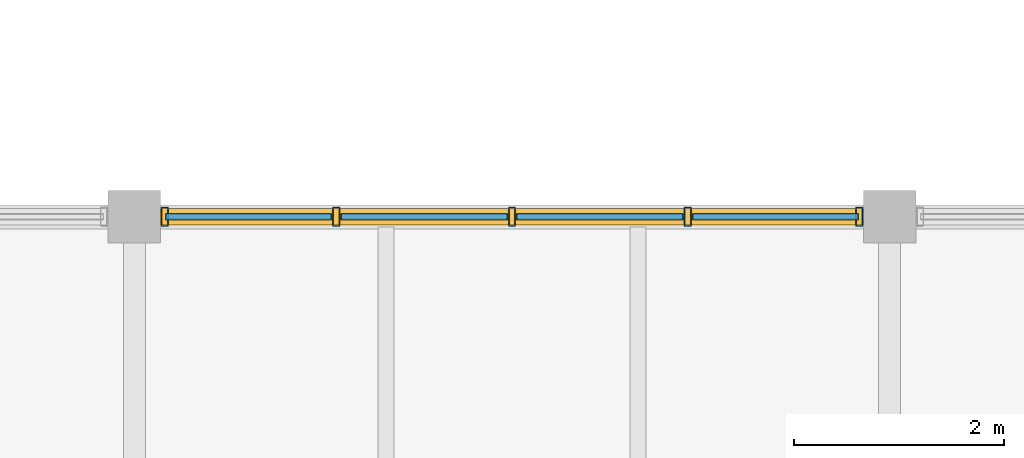
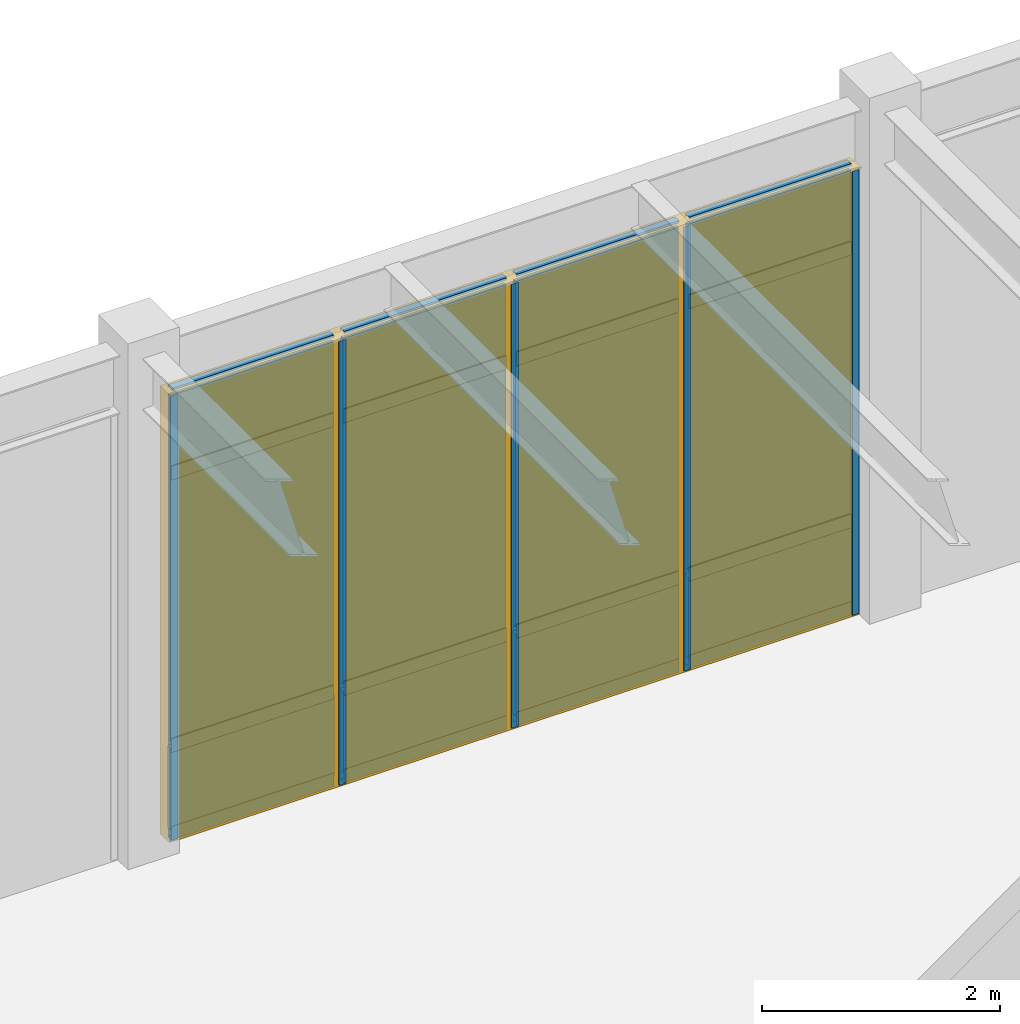
# One storey, part 78 of 97: 21 members, 8 plates, 1 curtain wall.
"""IFC4 building model written with IfcOpenShell, lengths in metres."""

from ifc_helpers import new_model, si_unit, direction, frame, origin, origin_2d, place, context, subcontext, project, spatial, rectangle, hollow_rectangle, extrude, material, layer, layer_set, material_profile, profile_set, type_object, element, aggregate, save


model = new_model("IFC4")

# Units and contexts
model_context = context("Model", 3, precision=1e-05, world=origin(), true_north=direction((0.0, 1.0)))
body_context = subcontext(model_context, "Body", "Model", "MODEL_VIEW")
ifc_project = project(units=[si_unit("LENGTHUNIT", "METRE"), si_unit("AREAUNIT", "SQUARE_METRE"), si_unit("VOLUMEUNIT", "CUBIC_METRE"), si_unit("PLANEANGLEUNIT", "RADIAN"), si_unit("MASSUNIT", "GRAM", prefix="KILO")], contexts=[model_context])

# Member
ifc_material_1 = material(Name="Anodized Aluminium 6063-T6", Category="aluminium")
ifc_material_profile_1 = material_profile(ifc_material_1, hollow_rectangle(XDim=0.06494140625, YDim=0.179931640625, WallThickness=0.00390625, at=origin_2d()), Name="ALU 65x180x4")
ifc_profile_set_1 = profile_set([ifc_material_profile_1], Name="Anodized Aluminium 6063-T6")
member_type_1 = type_object("IfcMemberType", Name="CWM-65X150", PredefinedType="MULLION", material=ifc_profile_set_1)
site_placement = place(None, origin())
building_placement = place(site_placement, origin())
storey_placement = place(building_placement, origin())
member_1_placement = place(storey_placement, frame((158.68994140625, 28.800048828125, 0.02001953125), z_axis=(0.0, 0.0, 1.0), x_axis=(1.0, 0.0, 0.0)))
member_1 = element("IfcMember", 1, at=member_1_placement, type_object=member_type_1, Name="Curtain wall mullion CW-L01-22-03-N-00", PredefinedType="MULLION", context=body_context, shape_type="SweptSolid", body=[
    extrude(hollow_rectangle(XDim=0.06494140625, YDim=0.179931640625, WallThickness=0.00390625, at=origin_2d()), origin(), (0.0, 0.0, 1.0), 4.557861328125),
])

member_2_placement = place(storey_placement, frame((160.324951171875, 28.800048828125, 0.02001953125), z_axis=(0.0, 0.0, 1.0), x_axis=(1.0, 0.0, 0.0)))
member_2 = element("IfcMember", 2, at=member_2_placement, type_object=member_type_1, Name="Curtain wall mullion CW-L01-22-03-N-01", PredefinedType="MULLION", context=body_context, shape_type="SweptSolid", body=[
    extrude(hollow_rectangle(XDim=0.06494140625, YDim=0.179931640625, WallThickness=0.00390625, at=origin_2d()), origin(), (0.0, 0.0, 1.0), 4.557861328125),
])

member_3_placement = place(storey_placement, frame((162.0, 28.800048828125, 0.02001953125), z_axis=(0.0, 0.0, 1.0), x_axis=(1.0, 0.0, 0.0)))
member_3 = element("IfcMember", 3, at=member_3_placement, type_object=member_type_1, Name="Curtain wall mullion CW-L01-22-03-N-02", PredefinedType="MULLION", context=body_context, shape_type="SweptSolid", body=[
    extrude(hollow_rectangle(XDim=0.06494140625, YDim=0.179931640625, WallThickness=0.00390625, at=origin_2d()), origin(), (0.0, 0.0, 1.0), 4.557861328125),
])

member_4_placement = place(storey_placement, frame((163.675048828125, 28.800048828125, 0.02001953125), z_axis=(0.0, 0.0, 1.0), x_axis=(1.0, 0.0, 0.0)))
member_4 = element("IfcMember", 4, at=member_4_placement, type_object=member_type_1, Name="Curtain wall mullion CW-L01-22-03-N-03", PredefinedType="MULLION", context=body_context, shape_type="SweptSolid", body=[
    extrude(hollow_rectangle(XDim=0.06494140625, YDim=0.179931640625, WallThickness=0.00390625, at=origin_2d()), origin(), (0.0, 0.0, 1.0), 4.557861328125),
])

member_5_placement = place(storey_placement, frame((165.31005859375, 28.800048828125, 0.02001953125), z_axis=(0.0, 0.0, 1.0), x_axis=(1.0, 0.0, 0.0)))
member_5 = element("IfcMember", 5, at=member_5_placement, type_object=member_type_1, Name="Curtain wall mullion CW-L01-22-03-N-04", PredefinedType="MULLION", context=body_context, shape_type="SweptSolid", body=[
    extrude(hollow_rectangle(XDim=0.06494140625, YDim=0.179931640625, WallThickness=0.00390625, at=origin_2d()), origin(), (0.0, 0.0, 1.0), 4.557861328125),
])

ifc_material_profile_2 = material_profile(ifc_material_1, hollow_rectangle(XDim=0.06494140625, YDim=0.139892578125, WallThickness=0.00390625, at=origin_2d()), Name="ALU 65x140x4")
ifc_profile_set_2 = profile_set([ifc_material_profile_2], Name="Anodized Aluminium 6063-T6")
member_type_2 = type_object("IfcMemberType", Name="CWT-65X120", PredefinedType="USERDEFINED", material=ifc_profile_set_2)
member_6_placement = place(storey_placement, frame((158.699951171875, 28.800048828125, 0.050048828125), z_axis=(1.0, 0.0, 0.0), x_axis=(0.0, 1.0, 0.0)))
member_6 = element("IfcMember", 6, at=member_6_placement, type_object=member_type_2, Name="Curtain wall transom CW-L01-22-03-N-1.01", ObjectType="TRANSOM", PredefinedType="USERDEFINED", context=body_context, shape_type="SweptSolid", body=[
    extrude(hollow_rectangle(XDim=0.06494140625, YDim=0.139892578125, WallThickness=0.00390625, at=origin_2d()), origin(), (0.0, 0.0, 1.0), 1.574951171875),
])

member_7_placement = place(storey_placement, frame((160.375, 28.800048828125, 0.050048828125), z_axis=(1.0, 0.0, 0.0), x_axis=(0.0, 1.0, 0.0)))
member_7 = element("IfcMember", 7, at=member_7_placement, type_object=member_type_2, Name="Curtain wall transom CW-L01-22-03-N-1.02", ObjectType="TRANSOM", PredefinedType="USERDEFINED", context=body_context, shape_type="SweptSolid", body=[
    extrude(hollow_rectangle(XDim=0.06494140625, YDim=0.139892578125, WallThickness=0.00390625, at=origin_2d()), origin(), (0.0, 0.0, 1.0), 1.574951171875),
])

member_8_placement = place(storey_placement, frame((162.050048828125, 28.800048828125, 0.050048828125), z_axis=(1.0, 0.0, 0.0), x_axis=(0.0, 1.0, 0.0)))
member_8 = element("IfcMember", 8, at=member_8_placement, type_object=member_type_2, Name="Curtain wall transom CW-L01-22-03-N-1.03", ObjectType="TRANSOM", PredefinedType="USERDEFINED", context=body_context, shape_type="SweptSolid", body=[
    extrude(hollow_rectangle(XDim=0.06494140625, YDim=0.139892578125, WallThickness=0.00390625, at=origin_2d()), origin(), (0.0, 0.0, 1.0), 1.574951171875),
])

member_9_placement = place(storey_placement, frame((163.72509765625, 28.800048828125, 0.050048828125), z_axis=(1.0, 0.0, 0.0), x_axis=(0.0, 1.0, 0.0)))
member_9 = element("IfcMember", 9, at=member_9_placement, type_object=member_type_2, Name="Curtain wall transom CW-L01-22-03-N-1.04", ObjectType="TRANSOM", PredefinedType="USERDEFINED", context=body_context, shape_type="SweptSolid", body=[
    extrude(hollow_rectangle(XDim=0.06494140625, YDim=0.139892578125, WallThickness=0.00390625, at=origin_2d()), origin(), (0.0, 0.0, 1.0), 1.574951171875),
])

member_10_placement = place(storey_placement, frame((158.699951171875, 28.800048828125, 0.949951171875), z_axis=(1.0, 0.0, 0.0), x_axis=(0.0, 1.0, 0.0)))
member_10 = element("IfcMember", 10, at=member_10_placement, type_object=member_type_2, Name="Curtain wall transom CW-L01-22-03-N-2.01", ObjectType="TRANSOM", PredefinedType="USERDEFINED", context=body_context, shape_type="SweptSolid", body=[
    extrude(hollow_rectangle(XDim=0.06494140625, YDim=0.139892578125, WallThickness=0.00390625, at=origin_2d()), origin(), (0.0, 0.0, 1.0), 1.574951171875),
])

member_11_placement = place(storey_placement, frame((160.375, 28.800048828125, 0.949951171875), z_axis=(1.0, 0.0, 0.0), x_axis=(0.0, 1.0, 0.0)))
member_11 = element("IfcMember", 11, at=member_11_placement, type_object=member_type_2, Name="Curtain wall transom CW-L01-22-03-N-2.02", ObjectType="TRANSOM", PredefinedType="USERDEFINED", context=body_context, shape_type="SweptSolid", body=[
    extrude(hollow_rectangle(XDim=0.06494140625, YDim=0.139892578125, WallThickness=0.00390625, at=origin_2d()), origin(), (0.0, 0.0, 1.0), 1.574951171875),
])

member_12_placement = place(storey_placement, frame((162.050048828125, 28.800048828125, 0.949951171875), z_axis=(1.0, 0.0, 0.0), x_axis=(0.0, 1.0, 0.0)))
member_12 = element("IfcMember", 12, at=member_12_placement, type_object=member_type_2, Name="Curtain wall transom CW-L01-22-03-N-2.03", ObjectType="TRANSOM", PredefinedType="USERDEFINED", context=body_context, shape_type="SweptSolid", body=[
    extrude(hollow_rectangle(XDim=0.06494140625, YDim=0.139892578125, WallThickness=0.00390625, at=origin_2d()), origin(), (0.0, 0.0, 1.0), 1.574951171875),
])

member_13_placement = place(storey_placement, frame((163.72509765625, 28.800048828125, 0.949951171875), z_axis=(1.0, 0.0, 0.0), x_axis=(0.0, 1.0, 0.0)))
member_13 = element("IfcMember", 13, at=member_13_placement, type_object=member_type_2, Name="Curtain wall transom CW-L01-22-03-N-2.04", ObjectType="TRANSOM", PredefinedType="USERDEFINED", context=body_context, shape_type="SweptSolid", body=[
    extrude(hollow_rectangle(XDim=0.06494140625, YDim=0.139892578125, WallThickness=0.00390625, at=origin_2d()), origin(), (0.0, 0.0, 1.0), 1.574951171875),
])

member_14_placement = place(storey_placement, frame((158.699951171875, 28.800048828125, 3.748046875), z_axis=(1.0, 0.0, 0.0), x_axis=(0.0, 1.0, 0.0)))
member_14 = element("IfcMember", 14, at=member_14_placement, type_object=member_type_2, Name="Curtain wall transom CW-L01-22-03-N-3.01", ObjectType="TRANSOM", PredefinedType="USERDEFINED", context=body_context, shape_type="SweptSolid", body=[
    extrude(hollow_rectangle(XDim=0.06494140625, YDim=0.139892578125, WallThickness=0.00390625, at=origin_2d()), origin(), (0.0, 0.0, 1.0), 1.574951171875),
])

member_15_placement = place(storey_placement, frame((160.375, 28.800048828125, 3.748046875), z_axis=(1.0, 0.0, 0.0), x_axis=(0.0, 1.0, 0.0)))
member_15 = element("IfcMember", 15, at=member_15_placement, type_object=member_type_2, Name="Curtain wall transom CW-L01-22-03-N-3.02", ObjectType="TRANSOM", PredefinedType="USERDEFINED", context=body_context, shape_type="SweptSolid", body=[
    extrude(hollow_rectangle(XDim=0.06494140625, YDim=0.139892578125, WallThickness=0.00390625, at=origin_2d()), origin(), (0.0, 0.0, 1.0), 1.574951171875),
])

member_16_placement = place(storey_placement, frame((162.050048828125, 28.800048828125, 3.748046875), z_axis=(1.0, 0.0, 0.0), x_axis=(0.0, 1.0, 0.0)))
member_16 = element("IfcMember", 16, at=member_16_placement, type_object=member_type_2, Name="Curtain wall transom CW-L01-22-03-N-3.03", ObjectType="TRANSOM", PredefinedType="USERDEFINED", context=body_context, shape_type="SweptSolid", body=[
    extrude(hollow_rectangle(XDim=0.06494140625, YDim=0.139892578125, WallThickness=0.00390625, at=origin_2d()), origin(), (0.0, 0.0, 1.0), 1.574951171875),
])

member_17_placement = place(storey_placement, frame((163.72509765625, 28.800048828125, 3.748046875), z_axis=(1.0, 0.0, 0.0), x_axis=(0.0, 1.0, 0.0)))
member_17 = element("IfcMember", 17, at=member_17_placement, type_object=member_type_2, Name="Curtain wall transom CW-L01-22-03-N-3.04", ObjectType="TRANSOM", PredefinedType="USERDEFINED", context=body_context, shape_type="SweptSolid", body=[
    extrude(hollow_rectangle(XDim=0.06494140625, YDim=0.139892578125, WallThickness=0.00390625, at=origin_2d()), origin(), (0.0, 0.0, 1.0), 1.574951171875),
])

member_18_placement = place(storey_placement, frame((158.699951171875, 28.800048828125, 4.548095703125), z_axis=(1.0, 0.0, 0.0), x_axis=(0.0, 1.0, 0.0)))
member_18 = element("IfcMember", 18, at=member_18_placement, type_object=member_type_2, Name="Curtain wall transom CW-L01-22-03-N-4.01", ObjectType="TRANSOM", PredefinedType="USERDEFINED", context=body_context, shape_type="SweptSolid", body=[
    extrude(hollow_rectangle(XDim=0.06494140625, YDim=0.139892578125, WallThickness=0.00390625, at=origin_2d()), origin(), (0.0, 0.0, 1.0), 1.574951171875),
])

member_19_placement = place(storey_placement, frame((160.375, 28.800048828125, 4.548095703125), z_axis=(1.0, 0.0, 0.0), x_axis=(0.0, 1.0, 0.0)))
member_19 = element("IfcMember", 19, at=member_19_placement, type_object=member_type_2, Name="Curtain wall transom CW-L01-22-03-N-4.02", ObjectType="TRANSOM", PredefinedType="USERDEFINED", context=body_context, shape_type="SweptSolid", body=[
    extrude(hollow_rectangle(XDim=0.06494140625, YDim=0.139892578125, WallThickness=0.00390625, at=origin_2d()), origin(), (0.0, 0.0, 1.0), 1.574951171875),
])

member_20_placement = place(storey_placement, frame((162.050048828125, 28.800048828125, 4.548095703125), z_axis=(1.0, 0.0, 0.0), x_axis=(0.0, 1.0, 0.0)))
member_20 = element("IfcMember", 20, at=member_20_placement, type_object=member_type_2, Name="Curtain wall transom CW-L01-22-03-N-4.03", ObjectType="TRANSOM", PredefinedType="USERDEFINED", context=body_context, shape_type="SweptSolid", body=[
    extrude(hollow_rectangle(XDim=0.06494140625, YDim=0.139892578125, WallThickness=0.00390625, at=origin_2d()), origin(), (0.0, 0.0, 1.0), 1.574951171875),
])

member_21_placement = place(storey_placement, frame((163.72509765625, 28.800048828125, 4.548095703125), z_axis=(1.0, 0.0, 0.0), x_axis=(0.0, 1.0, 0.0)))
member_21 = element("IfcMember", 21, at=member_21_placement, type_object=member_type_2, Name="Curtain wall transom CW-L01-22-03-N-4.04", ObjectType="TRANSOM", PredefinedType="USERDEFINED", context=body_context, shape_type="SweptSolid", body=[
    extrude(hollow_rectangle(XDim=0.06494140625, YDim=0.139892578125, WallThickness=0.00390625, at=origin_2d()), origin(), (0.0, 0.0, 1.0), 1.574951171875),
])

# Plate
ifc_material_2 = material(Name="Double Low-E Insulated Glazing Unit", Category="glass")
ifc_layer_1 = layer(ifc_material_2, 0.0380859375)
ifc_layer_set_1 = layer_set([ifc_layer_1], Name="Double Low-E Insulated Glazing Unit")
plate_type_1 = type_object("IfcPlateType", Name="CWP-IGU-38", PredefinedType="CURTAIN_PANEL", material=ifc_layer_set_1)
plate_1_placement = place(storey_placement, frame((159.487548828125, 28.800048828125, 0.98974609375), z_axis=(0.0, 0.0, 1.0), x_axis=(1.0, 0.0, 0.0)))
plate_1 = element("IfcPlate", 22, at=plate_1_placement, type_object=plate_type_1, Name="Curtain wall vision glazing CW-L01-22-03-N-01", PredefinedType="CURTAIN_PANEL", context=body_context, shape_type="SweptSolid", body=[
    extrude(rectangle(XDim=1.5849609375, YDim=0.0400390625, at=origin_2d()), origin(), (0.0, 0.0, 1.0), 3.548095703125),
])

plate_2_placement = place(storey_placement, frame((161.16259765625, 28.800048828125, 0.98974609375), z_axis=(0.0, 0.0, 1.0), x_axis=(1.0, 0.0, 0.0)))
plate_2 = element("IfcPlate", 23, at=plate_2_placement, type_object=plate_type_1, Name="Curtain wall vision glazing CW-L01-22-03-N-02", PredefinedType="CURTAIN_PANEL", context=body_context, shape_type="SweptSolid", body=[
    extrude(rectangle(XDim=1.5849609375, YDim=0.0400390625, at=origin_2d()), origin(), (0.0, 0.0, 1.0), 3.548095703125),
])

plate_3_placement = place(storey_placement, frame((162.83740234375, 28.800048828125, 0.98974609375), z_axis=(0.0, 0.0, 1.0), x_axis=(1.0, 0.0, 0.0)))
plate_3 = element("IfcPlate", 24, at=plate_3_placement, type_object=plate_type_1, Name="Curtain wall vision glazing CW-L01-22-03-N-03", PredefinedType="CURTAIN_PANEL", context=body_context, shape_type="SweptSolid", body=[
    extrude(rectangle(XDim=1.5849609375, YDim=0.0400390625, at=origin_2d()), origin(), (0.0, 0.0, 1.0), 3.548095703125),
])

plate_4_placement = place(storey_placement, frame((164.512451171875, 28.800048828125, 0.98974609375), z_axis=(0.0, 0.0, 1.0), x_axis=(1.0, 0.0, 0.0)))
plate_4 = element("IfcPlate", 25, at=plate_4_placement, type_object=plate_type_1, Name="Curtain wall vision glazing CW-L01-22-03-N-04", PredefinedType="CURTAIN_PANEL", context=body_context, shape_type="SweptSolid", body=[
    extrude(rectangle(XDim=1.5849609375, YDim=0.0400390625, at=origin_2d()), origin(), (0.0, 0.0, 1.0), 3.548095703125),
])

ifc_material_3 = material(Name="Insulated Bronze Aluminium Spandrel", Category="aluminium")
ifc_layer_2 = layer(ifc_material_3, 0.06005859375)
ifc_layer_set_2 = layer_set([ifc_layer_2], Name="Insulated Bronze Aluminium Spandrel")
plate_type_2 = type_object("IfcPlateType", Name="CWP-SPN-60", PredefinedType="CURTAIN_PANEL", material=ifc_layer_set_2)
plate_5_placement = place(storey_placement, frame((159.487548828125, 28.800048828125, 0.080078125), z_axis=(0.0, 0.0, 1.0), x_axis=(1.0, 0.0, 0.0)))
plate_5 = element("IfcPlate", 26, at=plate_5_placement, type_object=plate_type_2, Name="Curtain wall spandrel panel CW-L01-22-03-N-01", PredefinedType="CURTAIN_PANEL", context=body_context, shape_type="SweptSolid", body=[
    extrude(rectangle(XDim=1.5849609375, YDim=0.06005859375, at=origin_2d()), origin(), (0.0, 0.0, 1.0), 0.840087890625),
])

plate_6_placement = place(storey_placement, frame((161.16259765625, 28.800048828125, 0.080078125), z_axis=(0.0, 0.0, 1.0), x_axis=(1.0, 0.0, 0.0)))
plate_6 = element("IfcPlate", 27, at=plate_6_placement, type_object=plate_type_2, Name="Curtain wall spandrel panel CW-L01-22-03-N-02", PredefinedType="CURTAIN_PANEL", context=body_context, shape_type="SweptSolid", body=[
    extrude(rectangle(XDim=1.5849609375, YDim=0.06005859375, at=origin_2d()), origin(), (0.0, 0.0, 1.0), 0.840087890625),
])

plate_7_placement = place(storey_placement, frame((162.83740234375, 28.800048828125, 0.080078125), z_axis=(0.0, 0.0, 1.0), x_axis=(1.0, 0.0, 0.0)))
plate_7 = element("IfcPlate", 28, at=plate_7_placement, type_object=plate_type_2, Name="Curtain wall spandrel panel CW-L01-22-03-N-03", PredefinedType="CURTAIN_PANEL", context=body_context, shape_type="SweptSolid", body=[
    extrude(rectangle(XDim=1.5849609375, YDim=0.06005859375, at=origin_2d()), origin(), (0.0, 0.0, 1.0), 0.840087890625),
])

plate_8_placement = place(storey_placement, frame((164.512451171875, 28.800048828125, 0.080078125), z_axis=(0.0, 0.0, 1.0), x_axis=(1.0, 0.0, 0.0)))
plate_8 = element("IfcPlate", 29, at=plate_8_placement, type_object=plate_type_2, Name="Curtain wall spandrel panel CW-L01-22-03-N-04", PredefinedType="CURTAIN_PANEL", context=body_context, shape_type="SweptSolid", body=[
    extrude(rectangle(XDim=1.5849609375, YDim=0.06005859375, at=origin_2d()), origin(), (0.0, 0.0, 1.0), 0.840087890625),
])

# Site, building, storey
site = spatial("IfcSite", under=ifc_project, at=site_placement, CompositionType="ELEMENT")
building = spatial("IfcBuilding", under=site, at=building_placement, Name="Sillqori Civic Hall", CompositionType="ELEMENT")
storey = spatial("IfcBuildingStorey", under=building, at=storey_placement, Name="L01", CompositionType="ELEMENT", Elevation=0.0)

# Curtain wall
ifc_material_4 = material(Name="Anodized Aluminium Curtain Wall System", Category="aluminium")
curtain_wall_type = type_object("IfcCurtainWallType", Name="CW-SF-540", PredefinedType="NOTDEFINED", material=ifc_material_4)
curtain_wall_placement = place(storey_placement, frame((162.0, 28.800048828125, 0.0), z_axis=(0.0, 0.0, 1.0), x_axis=(1.0, 0.0, 0.0)))
curtain_wall = element("IfcCurtainWall", 30, at=curtain_wall_placement, inside=storey, type_object=curtain_wall_type, Name="L01 unitised curtain wall CW-L01-22-03-N", PredefinedType="NOTDEFINED", context=body_context, shape_type="SweptSolid", body=[
    extrude(rectangle(XDim=6.699951171875, YDim=0.159912109375, at=origin_2d()), origin(), (0.0, 0.0, 1.0), 4.597900390625),
])

aggregate(curtain_wall, [member_1, member_2, member_3, member_4, member_5, member_6, member_7, member_8, member_9, member_10, member_11, member_12, member_13, member_14, member_15, member_16, member_17, member_18, member_19, member_20, member_21, plate_5, plate_1, plate_6, plate_2, plate_7, plate_3, plate_8, plate_4])

save(model, "model.ifc")
